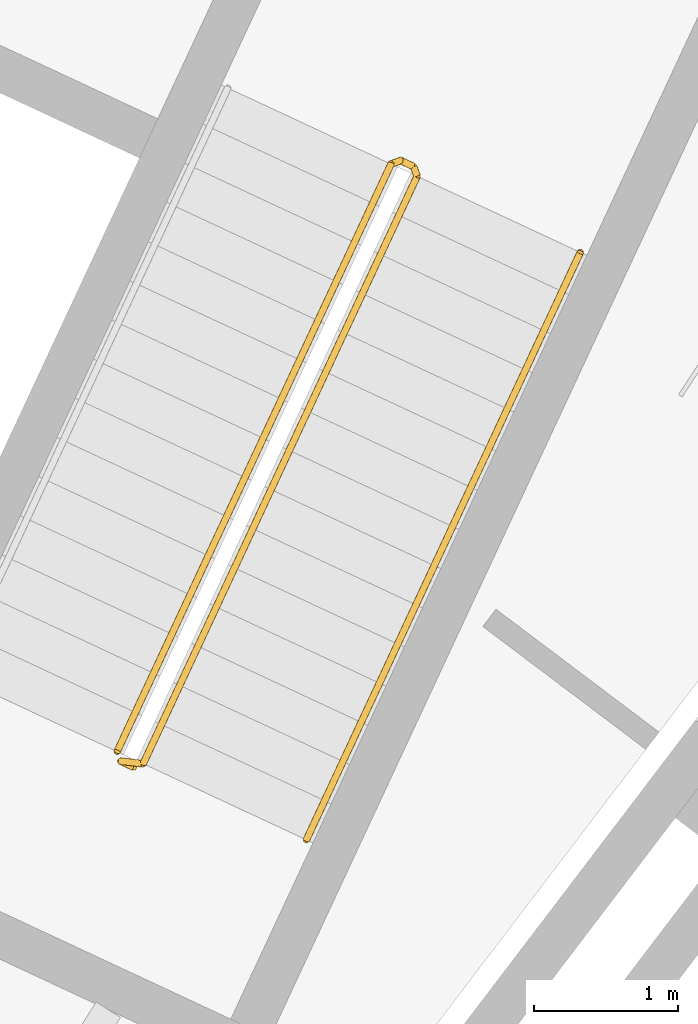
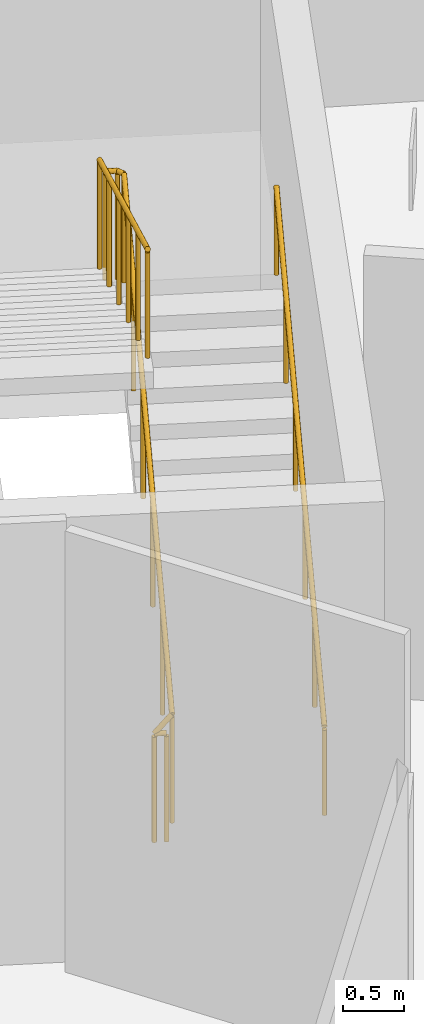
# One storey, part 24 of 24: 2 railings.
"""IFC4 building model written with IfcOpenShell, lengths in metres."""

from ifc_helpers import new_model, si_unit, direction, frame, origin, origin_2d, place, context, subcontext, project, spatial, circle, extrude, material, type_object, element, save


model = new_model("IFC4")

# Units and contexts
model_context = context("Model", 3, precision=1e-05, world=origin(), true_north=direction((0.0, 1.0)))
body_context = subcontext(model_context, "Body", "Model", "MODEL_VIEW")
ifc_project = project(units=[si_unit("LENGTHUNIT", "METRE"), si_unit("AREAUNIT", "SQUARE_METRE"), si_unit("VOLUMEUNIT", "CUBIC_METRE"), si_unit("PLANEANGLEUNIT", "RADIAN"), si_unit("MASSUNIT", "GRAM", prefix="KILO")], contexts=[model_context])

# Site, building, storey
site_placement = place(None, origin())
site = spatial("IfcSite", under=ifc_project, at=site_placement, CompositionType="ELEMENT")
building_placement = place(site_placement, origin())
building = spatial("IfcBuilding", under=site, at=building_placement, Name="Tuul Gate Civic Tower", CompositionType="ELEMENT")
storey_placement = place(building_placement, frame((0.0, 0.0, 21.89990234375)))
storey = spatial("IfcBuildingStorey", under=building, at=storey_placement, Name="Level 04", CompositionType="ELEMENT", Elevation=21.89990234375)

# Railings
ifc_material_1 = material(Name="Painted steel", Category="steel")
railing_type_1 = type_object("IfcRailingType", Name="Stair guard", PredefinedType="GUARDRAIL", material=ifc_material_1)
railing_1_placement = place(storey_placement, frame((33.645751953125, -5.238525390625, 0.0)))
element("IfcRailing", 1, at=railing_1_placement, inside=storey, type_object=railing_type_1, Name="Level 04 ST-4 stair guard 1", PredefinedType="GUARDRAIL", context=body_context, shape_type="SweptSolid", body=[
    extrude(circle(Radius=0.02392578125, at=origin_2d()), frame((0.0, 0.0, 1.076171875), z_axis=(-0.906307919131, 0.422617978463, 0.0), x_axis=(-0.422617978463, -0.906307919131, 0.0)), (0.0, 0.0, 1.0), 0.099853515625),
    extrude(circle(Radius=0.02392578125, at=origin_2d()), frame((-0.090576171875, 0.042236328125, 1.076171875), z_axis=(0.720179819621, -0.082882280952, 0.688818956559), x_axis=(0.114330889033, 0.993442724979, 0.0)), (0.0, 0.0, 1.0), 0.218017578125),
    extrude(circle(Radius=0.02392578125, at=origin_2d()), frame((0.06640625, 0.024169921875, 1.22607421875), z_axis=(0.377973126322, 0.810635649661, 0.447220481728), x_axis=(-0.906321697749, 0.42258842884, 0.0)), (0.0, 0.0, 1.0), 5.031005859375),
    extrude(circle(Radius=0.02392578125, at=origin_2d()), frame((1.968017578125, 4.1025390625, 3.47607421875), z_axis=(-0.342020437038, 0.939692513883, 0.0), x_axis=(-0.939692513883, -0.342020437038, 0.0)), (0.0, 0.0, 1.0), 0.070556640625),
    extrude(circle(Radius=0.02392578125, at=origin_2d()), frame((1.94384765625, 4.1689453125, 3.47607421875), z_axis=(-0.906307919131, 0.422617978463, 0.0), x_axis=(-0.422617978463, -0.906307919131, 0.0)), (0.0, 0.0, 1.0), 0.099853515625),
    extrude(circle(Radius=0.02392578125, at=origin_2d()), frame((1.853271484375, 4.211181640625, 3.47607421875), z_axis=(-0.401937642714, -0.145757606699, 0.903991621343), x_axis=(0.340913456846, -0.94009468403, 0.0)), (0.0, 0.0, 1.0), 0.165771484375),
    extrude(circle(Radius=0.02392578125, at=origin_2d()), frame((1.78662109375, 4.18701171875, 3.6259765625), z_axis=(-0.377931531328, -0.81065051757, 0.447228684222), x_axis=(0.906342476667, -0.422543861615, 0.0)), (0.0, 0.0, 1.0), 5.031005859375),
    extrude(circle(Radius=0.02099609375, at=origin_2d()), origin(), (0.0, 0.0, 1.0), 1.052001953125),
    extrude(circle(Radius=0.02099609375, at=origin_2d()), frame((-0.090576171875, 0.042236328125, 0.0)), (0.0, 0.0, 1.0), 1.052001953125),
    extrude(circle(Radius=0.02099609375, at=origin_2d()), frame((0.06640625, 0.024169921875, 0.150146484375)), (0.0, 0.0, 1.0), 1.052001953125),
    extrude(circle(Radius=0.02099609375, at=origin_2d()), frame((0.44677734375, 0.83984375, 0.60009765625)), (0.0, 0.0, 1.0), 1.052001953125),
    extrude(circle(Radius=0.02099609375, at=origin_2d()), frame((0.8271484375, 1.655517578125, 1.050048828125)), (0.0, 0.0, 1.0), 1.052001953125),
    extrude(circle(Radius=0.02099609375, at=origin_2d()), frame((1.207275390625, 2.47119140625, 1.500244140625)), (0.0, 0.0, 1.0), 1.052001953125),
    extrude(circle(Radius=0.02099609375, at=origin_2d()), frame((1.587646484375, 3.286865234375, 1.9501953125)), (0.0, 0.0, 1.0), 1.052001953125),
    extrude(circle(Radius=0.02099609375, at=origin_2d()), frame((1.968017578125, 4.1025390625, 2.400146484375)), (0.0, 0.0, 1.0), 1.052001953125),
    extrude(circle(Radius=0.02099609375, at=origin_2d()), frame((1.94384765625, 4.1689453125, 2.400146484375)), (0.0, 0.0, 1.0), 1.052001953125),
    extrude(circle(Radius=0.02099609375, at=origin_2d()), frame((1.853271484375, 4.211181640625, 2.400146484375)), (0.0, 0.0, 1.0), 1.052001953125),
    extrude(circle(Radius=0.02099609375, at=origin_2d()), frame((1.78662109375, 4.18701171875, 2.550048828125)), (0.0, 0.0, 1.0), 1.052001953125),
    extrude(circle(Radius=0.02099609375, at=origin_2d()), frame((1.40625, 3.371337890625, 3.0)), (0.0, 0.0, 1.0), 1.052001953125),
    extrude(circle(Radius=0.02099609375, at=origin_2d()), frame((1.026123046875, 2.5556640625, 3.449951171875)), (0.0, 0.0, 1.0), 1.052001953125),
    extrude(circle(Radius=0.02099609375, at=origin_2d()), frame((0.645751953125, 1.739990234375, 3.900146484375)), (0.0, 0.0, 1.0), 1.052001953125),
    extrude(circle(Radius=0.02099609375, at=origin_2d()), frame((0.265625, 0.92431640625, 4.35009765625)), (0.0, 0.0, 1.0), 1.052001953125),
    extrude(circle(Radius=0.02099609375, at=origin_2d()), frame((-0.11474609375, 0.108642578125, 4.800048828125)), (0.0, 0.0, 1.0), 1.052001953125),
])
ifc_material_2 = material(Name="Painted steel", Category="steel")
railing_type_2 = type_object("IfcRailingType", Name="Stair handrail", PredefinedType="HANDRAIL", material=ifc_material_2)
railing_2_placement = place(storey_placement, frame((34.844970703125, -5.74267578125, 0.150146484375)))
element("IfcRailing", 2, at=railing_2_placement, inside=storey, type_object=railing_type_2, Name="Level 04 ST-4 stair handrail 1", PredefinedType="HANDRAIL", context=body_context, shape_type="SweptSolid", body=[
    extrude(circle(Radius=0.02392578125, at=origin_2d()), frame((0.0, 0.0, 0.8759765625), z_axis=(0.377958258299, 0.810652286962, 0.447202889779), x_axis=(-0.906331385859, 0.422567650213, 0.0)), (0.0, 0.0, 1.0), 5.03125),
    extrude(circle(Radius=0.02099609375, at=origin_2d()), origin(), (0.0, 0.0, 1.0), 0.851806640625),
    extrude(circle(Radius=0.02099609375, at=origin_2d()), frame((0.38037109375, 0.815673828125, 0.449951171875)), (0.0, 0.0, 1.0), 0.851806640625),
    extrude(circle(Radius=0.02099609375, at=origin_2d()), frame((0.7607421875, 1.63134765625, 0.89990234375)), (0.0, 0.0, 1.0), 0.851806640625),
    extrude(circle(Radius=0.02099609375, at=origin_2d()), frame((1.140869140625, 2.447265625, 1.35009765625)), (0.0, 0.0, 1.0), 0.851806640625),
    extrude(circle(Radius=0.02099609375, at=origin_2d()), frame((1.521240234375, 3.262939453125, 1.800048828125)), (0.0, 0.0, 1.0), 0.851806640625),
    extrude(circle(Radius=0.02099609375, at=origin_2d()), frame((1.901611328125, 4.07861328125, 2.25)), (0.0, 0.0, 1.0), 0.851806640625),
])

save(model, "model.ifc")
